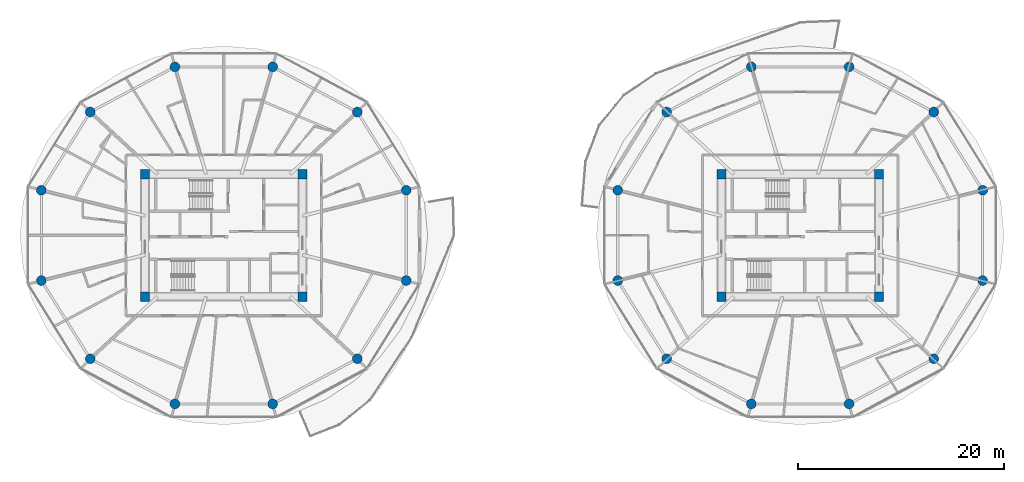
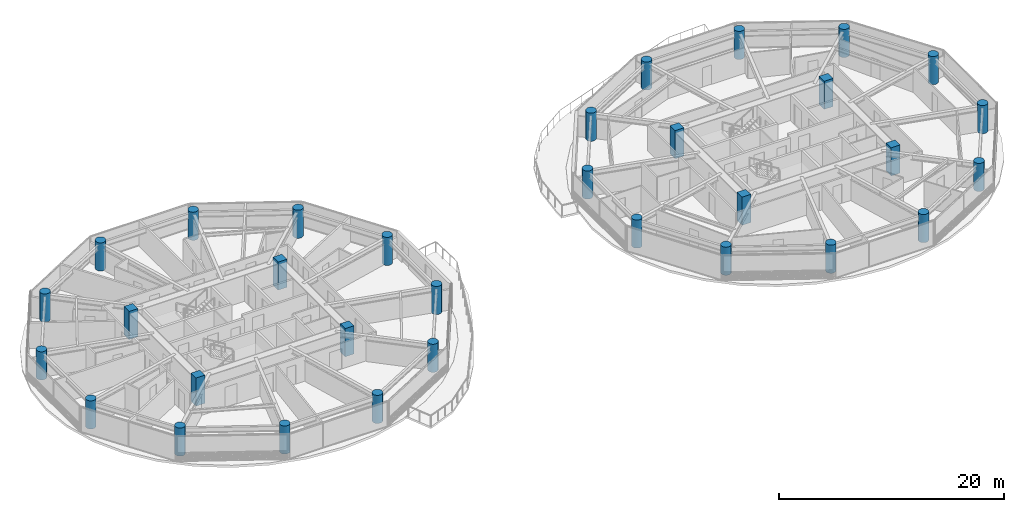
# One storey, part 1 of 27: 32 columns.
"""IFC4 building model written with IfcOpenShell, lengths in metres."""

from ifc_helpers import new_model, si_unit, direction, frame, origin, origin_2d, place, context, subcontext, project, spatial, rectangle, circle, extrude, source, transform, mapped, material, material_profile, profile_set, type_object, type_shapes, element, save


model = new_model("IFC4")

# Units and contexts
model_context = context("Model", 3, precision=1e-05, world=origin(), true_north=direction((0.0, 1.0)))
body_context = subcontext(model_context, "Body", "Model", "MODEL_VIEW")
ifc_project = project(units=[si_unit("LENGTHUNIT", "METRE"), si_unit("AREAUNIT", "SQUARE_METRE"), si_unit("VOLUMEUNIT", "CUBIC_METRE"), si_unit("PLANEANGLEUNIT", "RADIAN"), si_unit("MASSUNIT", "GRAM", prefix="KILO")], contexts=[model_context])

# Site, building, storey
site_placement = place(None, origin())
site = spatial("IfcSite", under=ifc_project, at=site_placement, CompositionType="ELEMENT")
building_placement = place(site_placement, origin())
building = spatial("IfcBuilding", under=site, at=building_placement, Name="Norrkilde Senior Care Towers", CompositionType="ELEMENT")
storey_placement = place(building_placement, frame((0.0, 0.0, 58.199951171875)))
storey = spatial("IfcBuildingStorey", under=building, at=storey_placement, Name="L17", CompositionType="ELEMENT", Elevation=58.199951171875)

# Columns
ifc_material = material(Name="Concrete C60/75", Category="concrete")
ifc_material_profile_1 = material_profile(ifc_material, rectangle(XDim=0.89990234375, YDim=0.89990234375, at=origin_2d()), Name="RC COL 900x900")
ifc_profile_set_1 = profile_set([ifc_material_profile_1], Name="Concrete C60/75")
column_type_1 = type_object("IfcColumnType", Name="Column Core Corner Z1-Z2 900", PredefinedType="COLUMN", material=ifc_profile_set_1)
shared_shape_1 = source(origin(), body_context, "Body", "SweptSolid", [
    extrude(rectangle(XDim=0.89990234375, YDim=0.89990234375, at=origin_2d()), origin(), (0.0, 0.0, 1.0), 3.050048828125),
])
type_shapes(column_type_1, [shared_shape_1])
for number, where, z_axis, x_axis, name in (
    (1, (-35.64990234375, -5.949951171875, 0.0), (0.0, 0.0, 1.0), (1.0, 0.0, 0.0), "L17 Core W Corner Column 1"),
    (2, (-20.35009765625, -5.949951171875, 0.0), (0.0, 0.0, 1.0), (1.0, 0.0, 0.0), "L17 Core W Corner Column 2"),
    (3, (-20.35009765625, 5.949951171875, 0.0), (0.0, 0.0, 1.0), (1.0, 0.0, 0.0), "L17 Core W Corner Column 3"),
    (4, (-35.64990234375, 5.949951171875, 0.0), (0.0, 0.0, 1.0), (1.0, 0.0, 0.0), "L17 Core W Corner Column 4"),
    (5, (20.35009765625, -5.949951171875, 0.0), (0.0, 0.0, 1.0), (1.0, 0.0, 0.0), "L17 Core E Corner Column 1"),
    (6, (35.64990234375, -5.949951171875, 0.0), (0.0, 0.0, 1.0), (1.0, 0.0, 0.0), "L17 Core E Corner Column 2"),
    (7, (35.64990234375, 5.949951171875, 0.0), (0.0, 0.0, 1.0), (1.0, 0.0, 0.0), "L17 Core E Corner Column 3"),
    (8, (20.35009765625, 5.949951171875, 0.0), (0.0, 0.0, 1.0), (1.0, 0.0, 0.0), "L17 Core E Corner Column 4"),
):
    element("IfcColumn", number, at=place(storey_placement, frame(where, z_axis=z_axis, x_axis=x_axis)), inside=storey, type_object=column_type_1, Name=name, PredefinedType="COLUMN", context=body_context, shape_type="MappedRepresentation", body=[
        mapped(shared_shape_1, transform((0.0, 0.0, 0.0), x_axis=(1.0, 0.0, 0.0), y_axis=(0.0, 1.0, 0.0), z_axis=(0.0, 0.0, 1.0), scale=1.0)),
    ])
ifc_material_profile_2 = material_profile(ifc_material, circle(Radius=0.47509765625, at=origin_2d()), Name="RC CIR 950")
ifc_profile_set_2 = profile_set([ifc_material_profile_2], Name="Concrete C60/75")
column_type_2 = type_object("IfcColumnType", Name="Column Perimeter Z1 950", PredefinedType="COLUMN", material=ifc_profile_set_2)
shared_shape_2 = source(origin(), body_context, "Body", "SweptSolid", [
    extrude(circle(Radius=0.47509765625, at=origin_2d()), origin(), (0.0, 0.0, 1.0), 3.050048828125),
])
type_shapes(column_type_2, [shared_shape_2])
for number, where, z_axis, x_axis, name in (
    (9, (-10.275146484375, 4.386962890625, 0.0), (0.0, 0.0, 1.0), (1.0, 0.0, 0.0), "L17 Drum W Perimeter Column 01"),
    (10, (-15.024658203125, 11.9853515625, 0.0), (0.0, 0.0, 1.0), (1.0, 0.0, 0.0), "L17 Drum W Perimeter Column 02"),
    (11, (-23.250732421875, 16.37255859375, 0.0), (0.0, 0.0, 1.0), (1.0, 0.0, 0.0), "L17 Drum W Perimeter Column 03"),
    (12, (-32.749267578125, 16.37255859375, 0.0), (0.0, 0.0, 1.0), (1.0, 0.0, 0.0), "L17 Drum W Perimeter Column 04"),
    (13, (-40.975341796875, 11.9853515625, 0.0), (0.0, 0.0, 1.0), (1.0, 0.0, 0.0), "L17 Drum W Perimeter Column 05"),
    (14, (-45.724853515625, 4.386962890625, 0.0), (0.0, 0.0, 1.0), (1.0, 0.0, 0.0), "L17 Drum W Perimeter Column 06"),
    (15, (-45.724853515625, -4.386962890625, 0.0), (0.0, 0.0, 1.0), (1.0, 0.0, 0.0), "L17 Drum W Perimeter Column 07"),
    (16, (-40.975341796875, -11.9853515625, 0.0), (0.0, 0.0, 1.0), (1.0, 0.0, 0.0), "L17 Drum W Perimeter Column 08"),
    (17, (-32.749267578125, -16.37255859375, 0.0), (0.0, 0.0, 1.0), (1.0, 0.0, 0.0), "L17 Drum W Perimeter Column 09"),
    (18, (-23.250732421875, -16.37255859375, 0.0), (0.0, 0.0, 1.0), (1.0, 0.0, 0.0), "L17 Drum W Perimeter Column 10"),
    (19, (-15.024658203125, -11.9853515625, 0.0), (0.0, 0.0, 1.0), (1.0, 0.0, 0.0), "L17 Drum W Perimeter Column 11"),
    (20, (-10.275146484375, -4.386962890625, 0.0), (0.0, 0.0, 1.0), (1.0, 0.0, 0.0), "L17 Drum W Perimeter Column 12"),
    (21, (45.724853515625, 4.386962890625, 0.0), (0.0, 0.0, 1.0), (1.0, 0.0, 0.0), "L17 Drum E Perimeter Column 01"),
    (22, (40.975341796875, 11.9853515625, 0.0), (0.0, 0.0, 1.0), (1.0, 0.0, 0.0), "L17 Drum E Perimeter Column 02"),
    (23, (32.749267578125, 16.37255859375, 0.0), (0.0, 0.0, 1.0), (1.0, 0.0, 0.0), "L17 Drum E Perimeter Column 03"),
    (24, (23.250732421875, 16.37255859375, 0.0), (0.0, 0.0, 1.0), (1.0, 0.0, 0.0), "L17 Drum E Perimeter Column 04"),
    (25, (15.024658203125, 11.9853515625, 0.0), (0.0, 0.0, 1.0), (1.0, 0.0, 0.0), "L17 Drum E Perimeter Column 05"),
    (26, (10.275146484375, 4.386962890625, 0.0), (0.0, 0.0, 1.0), (1.0, 0.0, 0.0), "L17 Drum E Perimeter Column 06"),
    (27, (10.275146484375, -4.386962890625, 0.0), (0.0, 0.0, 1.0), (1.0, 0.0, 0.0), "L17 Drum E Perimeter Column 07"),
    (28, (15.024658203125, -11.9853515625, 0.0), (0.0, 0.0, 1.0), (1.0, 0.0, 0.0), "L17 Drum E Perimeter Column 08"),
    (29, (23.250732421875, -16.37255859375, 0.0), (0.0, 0.0, 1.0), (1.0, 0.0, 0.0), "L17 Drum E Perimeter Column 09"),
    (30, (32.749267578125, -16.37255859375, 0.0), (0.0, 0.0, 1.0), (1.0, 0.0, 0.0), "L17 Drum E Perimeter Column 10"),
    (31, (40.975341796875, -11.9853515625, 0.0), (0.0, 0.0, 1.0), (1.0, 0.0, 0.0), "L17 Drum E Perimeter Column 11"),
    (32, (45.724853515625, -4.386962890625, 0.0), (0.0, 0.0, 1.0), (1.0, 0.0, 0.0), "L17 Drum E Perimeter Column 12"),
):
    element("IfcColumn", number, at=place(storey_placement, frame(where, z_axis=z_axis, x_axis=x_axis)), inside=storey, type_object=column_type_2, Name=name, PredefinedType="COLUMN", context=body_context, shape_type="MappedRepresentation", body=[
        mapped(shared_shape_2, transform((0.0, 0.0, 0.0), x_axis=(1.0, 0.0, 0.0), y_axis=(0.0, 1.0, 0.0), z_axis=(0.0, 0.0, 1.0), scale=1.0)),
    ])

save(model, "model.ifc")
